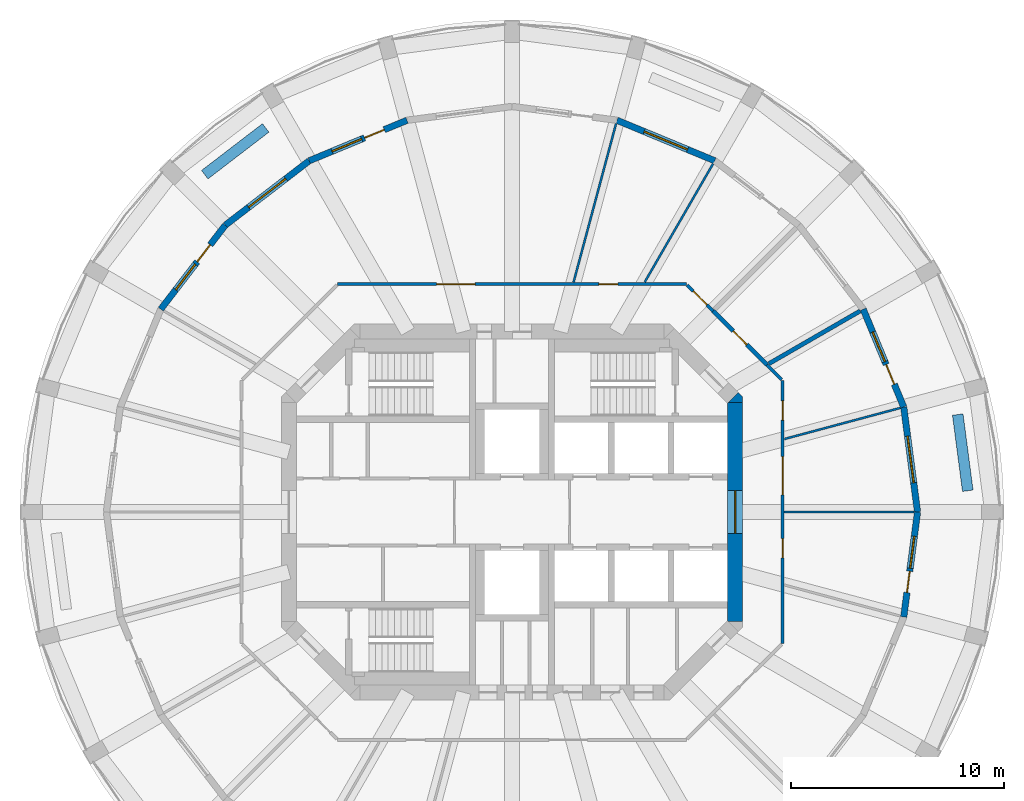
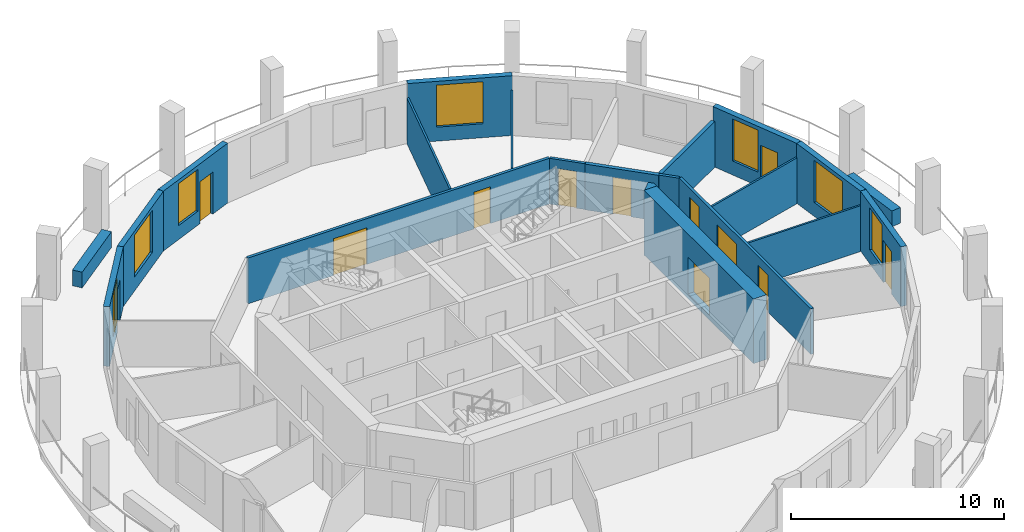
# One storey, part 6 of 9: 21 walls, 12 doors, 7 windows, 19 openings.
"""IFC4 building model written with IfcOpenShell, lengths in metres."""

from ifc_helpers import new_model, si_unit, direction, frame, frame_2d, origin, place, context, subcontext, project, spatial, polyline, rectangle, outline, extrude, material, layer, layer_set, type_object, element, fill, save


model = new_model("IFC4")

# Units and contexts
model_context = context("Model", 3, precision=1e-05, world=origin(), true_north=direction((0.0, 1.0)))
body_context = subcontext(model_context, "Body", "Model", "MODEL_VIEW")
ifc_project = project(units=[si_unit("LENGTHUNIT", "METRE"), si_unit("AREAUNIT", "SQUARE_METRE"), si_unit("VOLUMEUNIT", "CUBIC_METRE"), si_unit("PLANEANGLEUNIT", "RADIAN"), si_unit("MASSUNIT", "GRAM", prefix="KILO")], contexts=[model_context])

# Site, building, storey
site_placement = place(None, origin())
site = spatial("IfcSite", under=ifc_project, at=site_placement, CompositionType="ELEMENT")
building_placement = place(site_placement, origin())
building = spatial("IfcBuilding", under=site, at=building_placement, Name="Torre Triforio", CompositionType="ELEMENT")
storey_placement = place(building_placement, frame((0.0, 0.0, 165.300048828125)))
storey = spatial("IfcBuildingStorey", under=building, at=storey_placement, Name="L37", CompositionType="ELEMENT", Elevation=165.300048828125)

# Wall, opening, door
ifc_material_1 = material(Name="Concrete C50", Category="concrete")
ifc_layer_1 = layer(ifc_material_1, 0.699951171875)
ifc_layer_set_1 = layer_set([ifc_layer_1], Name="Concrete C50")
wall_type_1 = type_object("IfcWallType", Name="Core wall 700 mm C50 EI 120", PredefinedType="SHEAR", material=ifc_layer_set_1)
wall_1_placement = place(storey_placement, frame((10.449951171875, -5.1298828125, -0.280029296875), z_axis=(0.0, 0.0, 1.0), x_axis=(0.0, 1.0, 0.0)))
wall_1 = element("IfcWall", 1, at=wall_1_placement, inside=storey, type_object=wall_type_1, Name="Core wall", PredefinedType="SHEAR", context=body_context, shape_type="SweptSolid", body=[
    extrude(rectangle(XDim=10.259765625, YDim=0.699951171875, at=frame_2d((5.1298828125, 0.0))), origin(), (0.0, 0.0, 1.0), 3.699951171875),
])
opening_1_placement = place(wall_1_placement, frame((4.1298828125, 0.0, 0.280029296875)))
opening_1 = element("IfcOpeningElement", 2, at=opening_1_placement, cuts=wall_1, Name="Opening E-RING", PredefinedType="OPENING", context=body_context, shape_type="SweptSolid", body=[
    extrude(rectangle(XDim=2.0, YDim=2.10009765625, at=frame_2d((1.0, 1.050048828125))), frame((0.0, 0.35986328125, 0.0), z_axis=(0.0, -1.0, 0.0), x_axis=(1.0, 0.0, 0.0)), (0.0, 0.0, 1.0), 0.719970703125),
])
ifc_material_2 = material(Name="Hollow metal fire door leaf")
door_type_1 = type_object("IfcDoorType", Name="Lobby door 2000 x 2100 EI 60", OperationType="DOUBLE_DOOR_SINGLE_SWING", PredefinedType="DOOR", material=ifc_material_2)
door_1_placement = place(opening_1_placement, origin())
door_1 = element("IfcDoor", 3, at=door_1_placement, inside=storey, type_object=door_type_1, Name="Core door E-RING", OperationType="DOUBLE_DOOR_SINGLE_SWING", OverallHeight=2.10009765625, OverallWidth=2.0, PredefinedType="DOOR", context=body_context, shape_type="SweptSolid", body=[
    extrude(rectangle(XDim=2.0, YDim=2.10009765625, at=frame_2d((1.0, 1.050048828125))), frame((0.0, 0.02490234375, 0.0), z_axis=(0.0, -1.0, 0.0), x_axis=(1.0, 0.0, 0.0)), (0.0, 0.0, 1.0), 0.050048828125),
])
fill(opening_1, door_1)

# Wall
wall_2_placement = place(storey_placement, frame((0.0, 0.0, -0.280029296875)))
element("IfcWall", 4, at=wall_2_placement, inside=storey, type_object=wall_type_1, Name="Core wall", PredefinedType="SHEAR", context=body_context, shape_type="SweptSolid", body=[
    extrude(outline(polyline([(10.800048828125, 5.389892578125), (10.800048828125, 5.1298828125), (10.800048828125, 5.1298828125), (10.1298828125, 5.1298828125), (10.594970703125, 5.594970703125), (10.594970703125, 5.594970703125), (10.594970703125, 5.594970703125), (10.800048828125, 5.389892578125)])), origin(), (0.0, 0.0, 1.0), 3.699951171875),
])

# Wall, openings, doors
ifc_material_3 = material(Name="Plasterboard on metal studs")
ifc_layer_2 = layer(ifc_material_3, 0.14990234375)
ifc_layer_set_2 = layer_set([ifc_layer_2], Name="Plasterboard on metal studs")
wall_type_2 = type_object("IfcWallType", Name="Corridor and tenancy wall 150 mm EI 60", PredefinedType="PARTITIONING", material=ifc_layer_set_2)
wall_3_placement = place(storey_placement, frame((-8.16650390625, 10.675048828125, 0.0), z_axis=(0.0, 0.0, 1.0), x_axis=(1.0, 0.0, 0.0)))
wall_3 = element("IfcWall", 5, at=wall_3_placement, inside=storey, type_object=wall_type_2, Name="Partition 6", PredefinedType="PARTITIONING", context=body_context, shape_type="SweptSolid", body=[
    extrude(rectangle(XDim=16.3330078125, YDim=0.14990234375, at=frame_2d((8.16650390625, 0.0))), origin(), (0.0, 0.0, 1.0), 2.619873046875),
])
opening_2_placement = place(wall_3_placement, frame((4.639404296875, 0.0, 0.0)))
opening_2 = element("IfcOpeningElement", 6, at=opening_2_placement, cuts=wall_3, Name="Opening O2-01", PredefinedType="OPENING", context=body_context, shape_type="SweptSolid", body=[
    extrude(rectangle(XDim=1.800048828125, YDim=2.10009765625, at=frame_2d((0.89990234375, 1.050048828125))), frame((0.0, 0.0849609375, 0.0), z_axis=(0.0, -1.0, 0.0), x_axis=(1.0, 0.0, 0.0)), (0.0, 0.0, 1.0), 0.169921875),
])
opening_3_placement = place(wall_3_placement, frame((12.232421875, 0.0, 0.0)))
opening_3 = element("IfcOpeningElement", 7, at=opening_3_placement, cuts=wall_3, Name="Opening O2-16", PredefinedType="OPENING", context=body_context, shape_type="SweptSolid", body=[
    extrude(rectangle(XDim=0.89990234375, YDim=2.10009765625, at=frame_2d((0.449951171875, 1.050048828125))), frame((0.0, 0.0849609375, 0.0), z_axis=(0.0, -1.0, 0.0), x_axis=(1.0, 0.0, 0.0)), (0.0, 0.0, 1.0), 0.169921875),
])
ifc_material_4 = material(Name="Timber", Category="wood")
door_type_2 = type_object("IfcDoorType", Name="Door 1800 x 2100 double leaf EI 30", OperationType="DOUBLE_DOOR_SINGLE_SWING", PredefinedType="DOOR", material=ifc_material_4)
door_2_placement = place(opening_2_placement, origin())
door_2 = element("IfcDoor", 8, at=door_2_placement, inside=storey, type_object=door_type_2, Name="Door O2-01", OperationType="DOUBLE_DOOR_SINGLE_SWING", OverallHeight=2.10009765625, OverallWidth=1.800048828125, PredefinedType="DOOR", context=body_context, shape_type="SweptSolid", body=[
    extrude(rectangle(XDim=1.800048828125, YDim=2.10009765625, at=frame_2d((0.89990234375, 1.050048828125))), frame((0.0, 0.02490234375, 0.0), z_axis=(0.0, -1.0, 0.0), x_axis=(1.0, 0.0, 0.0)), (0.0, 0.0, 1.0), 0.050048828125),
])
fill(opening_2, door_2)
door_type_3 = type_object("IfcDoorType", Name="Door 900 x 2100 single leaf EI 30", OperationType="NOTDEFINED", PredefinedType="DOOR", material=ifc_material_4)
door_3_placement = place(opening_3_placement, origin())
door_3 = element("IfcDoor", 9, at=door_3_placement, inside=storey, type_object=door_type_3, Name="Door O2-16", OperationType="SINGLE_SWING_LEFT", OverallHeight=2.10009765625, OverallWidth=0.89990234375, PredefinedType="DOOR", context=body_context, shape_type="SweptSolid", body=[
    extrude(rectangle(XDim=0.89990234375, YDim=2.10009765625, at=frame_2d((0.449951171875, 1.050048828125))), frame((0.0, 0.02490234375, 0.0), z_axis=(0.0, -1.0, 0.0), x_axis=(1.0, 0.0, 0.0)), (0.0, 0.0, 1.0), 0.050048828125),
])
fill(opening_3, door_3)

# Wall, opening, door
wall_4_placement = place(storey_placement, frame((8.20361328125, 10.637939453125, 0.0), z_axis=(0.0, 0.0, 1.0), x_axis=(0.707177693966, -0.707035861295, 0.0)))
wall_4 = element("IfcWall", 10, at=wall_4_placement, inside=storey, type_object=wall_type_2, Name="Partition 7", PredefinedType="PARTITIONING", context=body_context, shape_type="SweptSolid", body=[
    extrude(rectangle(XDim=1.721435546875, YDim=0.14990234375, at=frame_2d((0.86083984375, 0.0))), origin(), (0.0, 0.0, 1.0), 2.619873046875),
])
opening_4_placement = place(wall_4_placement, frame((0.41064453125, 0.0, 0.0)))
opening_4 = element("IfcOpeningElement", 11, at=opening_4_placement, cuts=wall_4, Name="Opening O2-15", PredefinedType="OPENING", context=body_context, shape_type="SweptSolid", body=[
    extrude(rectangle(XDim=0.89990234375, YDim=2.10009765625, at=frame_2d((0.449951171875, 1.050048828125))), frame((0.0, 0.0849609375, 0.0), z_axis=(0.0, -1.0, 0.0), x_axis=(1.0, 0.0, 0.0)), (0.0, 0.0, 1.0), 0.169921875),
])
door_4_placement = place(opening_4_placement, origin())
door_4 = element("IfcDoor", 12, at=door_4_placement, inside=storey, type_object=door_type_3, Name="Door O2-15", OperationType="SINGLE_SWING_LEFT", OverallHeight=2.10009765625, OverallWidth=0.89990234375, PredefinedType="DOOR", context=body_context, shape_type="SweptSolid", body=[
    extrude(rectangle(XDim=0.89990234375, YDim=2.10009765625, at=frame_2d((0.449951171875, 1.050048828125))), frame((0.0, 0.02490234375, 0.0), z_axis=(0.0, -1.0, 0.0), x_axis=(1.0, 0.0, 0.0)), (0.0, 0.0, 1.0), 0.050048828125),
])
fill(opening_4, door_4)

# Wall
wall_5_placement = place(storey_placement, frame((11.945068359375, 6.896484375, 0.0), z_axis=(0.0, 0.0, 1.0), x_axis=(0.707106781187, -0.707106781187, 0.0)))
element("IfcWall", 13, at=wall_5_placement, inside=storey, type_object=wall_type_2, Name="Partition 9", PredefinedType="PARTITIONING", context=body_context, shape_type="SweptSolid", body=[
    extrude(rectangle(XDim=0.97998046875, YDim=0.14990234375, at=frame_2d((0.489990234375, 0.0))), origin(), (0.0, 0.0, 1.0), 2.619873046875),
])

# Wall, openings, doors
wall_6_placement = place(storey_placement, frame((12.675048828125, 6.16650390625, 0.0), z_axis=(0.0, 0.0, 1.0), x_axis=(0.0, -1.0, 0.0)))
wall_6 = element("IfcWall", 14, at=wall_6_placement, inside=storey, type_object=wall_type_2, Name="Partition 10", PredefinedType="PARTITIONING", context=body_context, shape_type="SweptSolid", body=[
    extrude(rectangle(XDim=12.3330078125, YDim=0.14990234375, at=frame_2d((6.16650390625, 0.0))), origin(), (0.0, 0.0, 1.0), 2.619873046875),
])
opening_5_placement = place(wall_6_placement, frame((7.41552734375, 0.0, 0.0)))
opening_5 = element("IfcOpeningElement", 15, at=opening_5_placement, cuts=wall_6, Name="Opening O2-11", PredefinedType="OPENING", context=body_context, shape_type="SweptSolid", body=[
    extrude(rectangle(XDim=0.89990234375, YDim=2.10009765625, at=frame_2d((0.449951171875, 1.050048828125))), frame((0.0, 0.0849609375, 0.0), z_axis=(0.0, -1.0, 0.0), x_axis=(1.0, 0.0, 0.0)), (0.0, 0.0, 1.0), 0.169921875),
])
opening_6_placement = place(wall_6_placement, frame((3.567626953125, 0.0, 0.0)))
opening_6 = element("IfcOpeningElement", 16, at=opening_6_placement, cuts=wall_6, Name="Opening O2-12", PredefinedType="OPENING", context=body_context, shape_type="SweptSolid", body=[
    extrude(rectangle(XDim=1.800048828125, YDim=2.10009765625, at=frame_2d((0.89990234375, 1.050048828125))), frame((0.0, 0.0849609375, 0.0), z_axis=(0.0, -1.0, 0.0), x_axis=(1.0, 0.0, 0.0)), (0.0, 0.0, 1.0), 0.169921875),
])
opening_7_placement = place(wall_6_placement, frame((0.960205078125, 0.0, 0.0)))
opening_7 = element("IfcOpeningElement", 17, at=opening_7_placement, cuts=wall_6, Name="Opening O2-13", PredefinedType="OPENING", context=body_context, shape_type="SweptSolid", body=[
    extrude(rectangle(XDim=0.89990234375, YDim=2.10009765625, at=frame_2d((0.449951171875, 1.050048828125))), frame((0.0, 0.0849609375, 0.0), z_axis=(0.0, -1.0, 0.0), x_axis=(1.0, 0.0, 0.0)), (0.0, 0.0, 1.0), 0.169921875),
])
door_5_placement = place(opening_6_placement, origin())
door_5 = element("IfcDoor", 18, at=door_5_placement, inside=storey, type_object=door_type_2, Name="Door O2-12", OperationType="DOUBLE_DOOR_SINGLE_SWING", OverallHeight=2.10009765625, OverallWidth=1.800048828125, PredefinedType="DOOR", context=body_context, shape_type="SweptSolid", body=[
    extrude(rectangle(XDim=1.800048828125, YDim=2.10009765625, at=frame_2d((0.89990234375, 1.050048828125))), frame((0.0, 0.02490234375, 0.0), z_axis=(0.0, -1.0, 0.0), x_axis=(1.0, 0.0, 0.0)), (0.0, 0.0, 1.0), 0.050048828125),
])
fill(opening_6, door_5)
door_6_placement = place(opening_5_placement, origin())
door_6 = element("IfcDoor", 19, at=door_6_placement, inside=storey, type_object=door_type_3, Name="Door O2-11", OperationType="SINGLE_SWING_LEFT", OverallHeight=2.10009765625, OverallWidth=0.89990234375, PredefinedType="DOOR", context=body_context, shape_type="SweptSolid", body=[
    extrude(rectangle(XDim=0.89990234375, YDim=2.10009765625, at=frame_2d((0.449951171875, 1.050048828125))), frame((0.0, 0.02490234375, 0.0), z_axis=(0.0, -1.0, 0.0), x_axis=(1.0, 0.0, 0.0)), (0.0, 0.0, 1.0), 0.050048828125),
])
fill(opening_5, door_6)
door_7_placement = place(opening_7_placement, origin())
door_7 = element("IfcDoor", 20, at=door_7_placement, inside=storey, type_object=door_type_3, Name="Door O2-13", OperationType="SINGLE_SWING_LEFT", OverallHeight=2.10009765625, OverallWidth=0.89990234375, PredefinedType="DOOR", context=body_context, shape_type="SweptSolid", body=[
    extrude(rectangle(XDim=0.89990234375, YDim=2.10009765625, at=frame_2d((0.449951171875, 1.050048828125))), frame((0.0, 0.02490234375, 0.0), z_axis=(0.0, -1.0, 0.0), x_axis=(1.0, 0.0, 0.0)), (0.0, 0.0, 1.0), 0.050048828125),
])
fill(opening_7, door_7)

# Walls
ifc_layer_3 = layer(ifc_material_3, 0.10009765625)
ifc_layer_set_3 = layer_set([ifc_layer_3], Name="Plasterboard on metal studs")
wall_type_3 = type_object("IfcWallType", Name="Partition 100 mm board on metal studs", PredefinedType="PARTITIONING", material=ifc_layer_set_3)
wall_7_placement = place(storey_placement, frame((12.75, 0.0, 0.0), z_axis=(0.0, 0.0, 1.0), x_axis=(1.0, 0.0, 0.0)))
element("IfcWall", 21, at=wall_7_placement, inside=storey, type_object=wall_type_3, Name="Partition 11", PredefinedType="PARTITIONING", context=body_context, shape_type="SweptSolid", body=[
    extrude(rectangle(XDim=6.086669921875, YDim=0.10009765625, at=frame_2d((3.04345703125, 0.0))), origin(), (0.0, 0.0, 1.0), 2.619873046875),
])
wall_8_placement = place(storey_placement, frame((12.764404296875, 3.420166015625, 0.0), z_axis=(0.0, 0.0, 1.0), x_axis=(0.965925759926, 0.258819292773, 0.0)))
element("IfcWall", 22, at=wall_8_placement, inside=storey, type_object=wall_type_3, Name="Partition 12", PredefinedType="PARTITIONING", context=body_context, shape_type="SweptSolid", body=[
    extrude(rectangle(XDim=5.6220703125, YDim=0.10009765625, at=frame_2d((2.81103515625, 0.0))), origin(), (0.0, 0.0, 1.0), 2.619873046875),
])
wall_9_placement = place(storey_placement, frame((6.220703125, 10.774658203125, 0.0), z_axis=(0.0, 0.0, 1.0), x_axis=(0.500023166934, 0.866012027936, 0.0)))
element("IfcWall", 23, at=wall_9_placement, inside=storey, type_object=wall_type_3, Name="Partition 15", PredefinedType="PARTITIONING", context=body_context, shape_type="SweptSolid", body=[
    extrude(rectangle(XDim=6.395263671875, YDim=0.10009765625, at=frame_2d((3.19775390625, 0.0))), origin(), (0.0, 0.0, 1.0), 2.619873046875),
])
wall_10_placement = place(storey_placement, frame((2.88427734375, 10.764404296875, 0.0), z_axis=(0.0, 0.0, 1.0), x_axis=(0.25881804804, 0.965926093451, 0.0)))
element("IfcWall", 24, at=wall_10_placement, inside=storey, type_object=wall_type_3, Name="Partition 16", PredefinedType="PARTITIONING", context=body_context, shape_type="SweptSolid", body=[
    extrude(rectangle(XDim=7.692626953125, YDim=0.10009765625, at=frame_2d((3.84619140625, 0.0))), origin(), (0.0, 0.0, 1.0), 2.619873046875),
])

# Wall, opening, door
ifc_material_5 = material(Name="Masonry block", Category="masonry")
ifc_layer_4 = layer(ifc_material_5, 0.199951171875)
ifc_layer_set_4 = layer_set([ifc_layer_4], Name="Masonry block")
wall_type_4 = type_object("IfcWallType", Name="Plant room wall 200 mm block EI 120", PredefinedType="PARTITIONING", material=ifc_layer_set_4)
wall_11_placement = place(storey_placement, frame((9.4208984375, 9.4208984375, 0.0), z_axis=(0.0, 0.0, 1.0), x_axis=(0.707072585922, -0.707140974798, 0.0)))
wall_11 = element("IfcWall", 25, at=wall_11_placement, inside=storey, type_object=wall_type_4, Name="Partition 8", PredefinedType="PARTITIONING", context=body_context, shape_type="SweptSolid", body=[
    extrude(rectangle(XDim=3.56982421875, YDim=0.199951171875, at=frame_2d((1.784912109375, 0.0))), origin(), (0.0, 0.0, 1.0), 2.619873046875),
])
opening_8_placement = place(wall_11_placement, frame((1.3349609375, 0.0, 0.0)))
opening_8 = element("IfcOpeningElement", 26, at=opening_8_placement, cuts=wall_11, Name="Opening O2-14", PredefinedType="OPENING", context=body_context, shape_type="SweptSolid", body=[
    extrude(rectangle(XDim=0.89990234375, YDim=2.10009765625, at=frame_2d((0.449951171875, 1.050048828125))), frame((0.0, 0.10986328125, 0.0), z_axis=(0.0, -1.0, 0.0), x_axis=(1.0, 0.0, 0.0)), (0.0, 0.0, 1.0), 0.219970703125),
])
door_type_4 = type_object("IfcDoorType", Name="Door 900 x 2100 single leaf EI 60", OperationType="NOTDEFINED", PredefinedType="DOOR", material=ifc_material_2)
door_8_placement = place(opening_8_placement, origin())
door_8 = element("IfcDoor", 27, at=door_8_placement, inside=storey, type_object=door_type_4, Name="Door O2-14", OperationType="SINGLE_SWING_LEFT", OverallHeight=2.10009765625, OverallWidth=0.89990234375, PredefinedType="DOOR", context=body_context, shape_type="SweptSolid", body=[
    extrude(rectangle(XDim=0.89990234375, YDim=2.10009765625, at=frame_2d((0.449951171875, 1.050048828125))), frame((0.0, 0.02490234375, 0.0), z_axis=(0.0, -1.0, 0.0), x_axis=(1.0, 0.0, 0.0)), (0.0, 0.0, 1.0), 0.050048828125),
])
fill(opening_8, door_8)

# Walls
wall_12_placement = place(storey_placement, frame((12.035888671875, 6.948974609375, 0.0), z_axis=(0.0, 0.0, 1.0), x_axis=(0.866016828037, 0.500014853336, 0.0)))
element("IfcWall", 28, at=wall_12_placement, inside=storey, type_object=wall_type_4, Name="Partition 13", PredefinedType="PARTITIONING", context=body_context, shape_type="SweptSolid", body=[
    extrude(rectangle(XDim=4.938720703125, YDim=0.199951171875, at=frame_2d((2.46923828125, 0.0))), origin(), (0.0, 0.0, 1.0), 2.619873046875),
])
ifc_material_6 = material(Name="Limestone cladding", Category="masonry")
ifc_layer_5 = layer(ifc_material_6, 0.10009765625)
ifc_material_7 = material(Name="Concrete C40", Category="concrete")
ifc_layer_6 = layer(ifc_material_7, 0.39990234375)
ifc_layer_set_5 = layer_set([ifc_layer_5, ifc_layer_6], Name="Limestone cladding / Concrete C40")
wall_type_5 = type_object("IfcWallType", Name="Planter wall 500", PredefinedType="PARAPET", material=ifc_layer_set_5)
wall_13_placement = place(storey_placement, frame((21.352783203125, 0.99560546875, 0.0), z_axis=(0.0, 0.0, 1.0), x_axis=(-0.130551000099, 0.991441595039, 0.0)))
element("IfcWall", 29, at=wall_13_placement, inside=storey, type_object=wall_type_5, Name="Planter L37 bay 01", PredefinedType="PARAPET", context=body_context, shape_type="SweptSolid", body=[
    extrude(rectangle(XDim=3.599853515625, YDim=0.5, at=frame_2d((1.7998046875, 0.0))), origin(), (0.0, 0.0, 1.0), 0.89990234375),
])
wall_14_placement = place(storey_placement, frame((-11.53857421875, 17.994140625, 0.0), z_axis=(0.0, 0.0, 1.0), x_axis=(-0.793384730612, -0.608720518162, 0.0)))
element("IfcWall", 30, at=wall_14_placement, inside=storey, type_object=wall_type_5, Name="Planter L37 bay 09", PredefinedType="PARAPET", context=body_context, shape_type="SweptSolid", body=[
    extrude(rectangle(XDim=3.60009765625, YDim=0.5, at=frame_2d((1.800048828125, 0.0))), origin(), (0.0, 0.0, 1.0), 0.89990234375),
])

# Wall, opening, window
ifc_layer_7 = layer(ifc_material_6, 0.10009765625)
ifc_layer_8 = layer(ifc_material_7, 0.199951171875)
ifc_layer_set_6 = layer_set([ifc_layer_7, ifc_layer_8], Name="Limestone cladding / Concrete C40")
wall_type_6 = type_object("IfcWallType", Name="Stone-faced composite wall 300", PredefinedType="STANDARD", material=ifc_layer_set_6)
wall_15_placement = place(storey_placement, frame((19.0, 0.0, 0.0), z_axis=(0.0, 0.0, 1.0), x_axis=(-0.130538549191, 0.991443234469, 0.0)))
wall_15 = element("IfcWall", 31, at=wall_15_placement, inside=storey, type_object=wall_type_6, Name="External wall L37 bay 01", PredefinedType="STANDARD", context=body_context, shape_type="SweptSolid", body=[
    extrude(rectangle(XDim=4.9599609375, YDim=0.300048828125, at=frame_2d((2.47998046875, 0.0))), origin(), (0.0, 0.0, 1.0), 3.419921875),
])
opening_9_placement = place(wall_15_placement, frame((1.3798828125, 0.0, 0.800048828125)))
opening_9 = element("IfcOpeningElement", 32, at=opening_9_placement, cuts=wall_15, Name="Opening O2-W01", PredefinedType="OPENING", context=body_context, shape_type="SweptSolid", body=[
    extrude(rectangle(XDim=2.199951171875, YDim=2.39990234375, at=frame_2d((1.10009765625, 1.199951171875))), frame((0.0, 0.159912109375, 0.0), z_axis=(0.0, -1.0, 0.0), x_axis=(1.0, 0.0, 0.0)), (0.0, 0.0, 1.0), 0.320068359375),
])
ifc_material_8 = material(Name="Aluminium frame with clear double glazing", Category="aluminium")
window_type_1 = type_object("IfcWindowType", Name="Punched window 2200 x 2400", PartitioningType="DOUBLE_PANEL_VERTICAL", PredefinedType="WINDOW", material=ifc_material_8)
window_1_placement = place(opening_9_placement, origin())
window_1 = element("IfcWindow", 33, at=window_1_placement, inside=storey, type_object=window_type_1, Name="Window EWN5 L37 bay 01", OverallHeight=2.39990234375, OverallWidth=2.199951171875, PartitioningType="SINGLE_PANEL", PredefinedType="WINDOW", context=body_context, shape_type="SweptSolid", body=[
    extrude(rectangle(XDim=2.199951171875, YDim=2.39990234375, at=frame_2d((1.10009765625, 1.199951171875))), frame((0.0, 0.030029296875, 0.0), z_axis=(0.0, -1.0, 0.0), x_axis=(1.0, 0.0, 0.0)), (0.0, 0.0, 1.0), 0.06005859375),
])
fill(opening_9, window_1)

# Wall, openings, door, window
wall_16_placement = place(storey_placement, frame((18.3525390625, 4.91748046875, 0.0), z_axis=(0.0, 0.0, 1.0), x_axis=(-0.382650301762, 0.923893254961, 0.0)))
wall_16 = element("IfcWall", 34, at=wall_16_placement, inside=storey, type_object=wall_type_6, Name="External wall L37 bay 02", PredefinedType="STANDARD", context=body_context, shape_type="SweptSolid", body=[
    extrude(rectangle(XDim=4.9599609375, YDim=0.300048828125, at=frame_2d((2.47998046875, 0.0))), origin(), (0.0, 0.0, 1.0), 3.419921875),
])
opening_10_placement = place(wall_16_placement, frame((1.155029296875, 0.0, 0.0)))
opening_10 = element("IfcOpeningElement", 35, at=opening_10_placement, cuts=wall_16, Name="Opening O2-D02", PredefinedType="OPENING", context=body_context, shape_type="SweptSolid", body=[
    extrude(rectangle(XDim=1.0, YDim=2.39990234375, at=frame_2d((0.5, 1.199951171875))), frame((0.0, 0.159912109375, 0.0), z_axis=(0.0, -1.0, 0.0), x_axis=(1.0, 0.0, 0.0)), (0.0, 0.0, 1.0), 0.320068359375),
])
opening_11_placement = place(wall_16_placement, frame((2.304931640625, 0.0, 0.800048828125)))
opening_11 = element("IfcOpeningElement", 36, at=opening_11_placement, cuts=wall_16, Name="Opening O2-W02A", PredefinedType="OPENING", context=body_context, shape_type="SweptSolid", body=[
    extrude(rectangle(XDim=1.5, YDim=2.39990234375, at=frame_2d((0.75, 1.199951171875))), frame((0.0, 0.159912109375, 0.0), z_axis=(0.0, -1.0, 0.0), x_axis=(1.0, 0.0, 0.0)), (0.0, 0.0, 1.0), 0.320068359375),
])
door_type_5 = type_object("IfcDoorType", Name="Loggia door 1000 x 2400", OperationType="NOTDEFINED", PredefinedType="DOOR", material=ifc_material_8)
door_9_placement = place(opening_10_placement, origin())
door_9 = element("IfcDoor", 37, at=door_9_placement, inside=storey, type_object=door_type_5, Name="Loggia door L37 bay 02", OperationType="SINGLE_SWING_LEFT", OverallHeight=2.39990234375, OverallWidth=1.0, PredefinedType="DOOR", context=body_context, shape_type="SweptSolid", body=[
    extrude(rectangle(XDim=1.0, YDim=2.39990234375, at=frame_2d((0.5, 1.199951171875))), frame((0.0, 0.02490234375, 0.0), z_axis=(0.0, -1.0, 0.0), x_axis=(1.0, 0.0, 0.0)), (0.0, 0.0, 1.0), 0.050048828125),
])
fill(opening_10, door_9)
window_type_2 = type_object("IfcWindowType", Name="Side window 1500 x 2400", PartitioningType="SINGLE_PANEL", PredefinedType="WINDOW", material=ifc_material_8)
window_2_placement = place(opening_11_placement, origin())
window_2 = element("IfcWindow", 38, at=window_2_placement, inside=storey, type_object=window_type_2, Name="Side window EWN14 L37 bay 02", OverallHeight=2.39990234375, OverallWidth=1.5, PartitioningType="SINGLE_PANEL", PredefinedType="WINDOW", context=body_context, shape_type="SweptSolid", body=[
    extrude(rectangle(XDim=1.5, YDim=2.39990234375, at=frame_2d((0.75, 1.199951171875))), frame((0.0, 0.030029296875, 0.0), z_axis=(0.0, -1.0, 0.0), x_axis=(1.0, 0.0, 0.0)), (0.0, 0.0, 1.0), 0.06005859375),
])
fill(opening_11, window_2)

# Wall, opening, window
wall_17_placement = place(storey_placement, frame((9.5, 16.45458984375, 0.0), z_axis=(0.0, 0.0, 1.0), x_axis=(-0.923893254961, 0.382650301762, 0.0)))
wall_17 = element("IfcWall", 39, at=wall_17_placement, inside=storey, type_object=wall_type_6, Name="External wall L37 bay 05", PredefinedType="STANDARD", context=body_context, shape_type="SweptSolid", body=[
    extrude(rectangle(XDim=4.9599609375, YDim=0.300048828125, at=frame_2d((2.47998046875, 0.0))), origin(), (0.0, 0.0, 1.0), 3.419921875),
])
opening_12_placement = place(wall_17_placement, frame((1.3798828125, 0.0, 0.800048828125)))
opening_12 = element("IfcOpeningElement", 40, at=opening_12_placement, cuts=wall_17, Name="Opening O2-W05", PredefinedType="OPENING", context=body_context, shape_type="SweptSolid", body=[
    extrude(rectangle(XDim=2.199951171875, YDim=2.39990234375, at=frame_2d((1.10009765625, 1.199951171875))), frame((0.0, 0.159912109375, 0.0), z_axis=(0.0, -1.0, 0.0), x_axis=(1.0, 0.0, 0.0)), (0.0, 0.0, 1.0), 0.320068359375),
])
window_3_placement = place(opening_12_placement, origin())
window_3 = element("IfcWindow", 41, at=window_3_placement, inside=storey, type_object=window_type_1, Name="Window EWN5 L37 bay 05", OverallHeight=2.39990234375, OverallWidth=2.199951171875, PartitioningType="SINGLE_PANEL", PredefinedType="WINDOW", context=body_context, shape_type="SweptSolid", body=[
    extrude(rectangle(XDim=2.199951171875, YDim=2.39990234375, at=frame_2d((1.10009765625, 1.199951171875))), frame((0.0, 0.030029296875, 0.0), z_axis=(0.0, -1.0, 0.0), x_axis=(1.0, 0.0, 0.0)), (0.0, 0.0, 1.0), 0.06005859375),
])
fill(opening_12, window_3)

# Wall, openings, door, window
wall_18_placement = place(storey_placement, frame((-4.91748046875, 18.3525390625, 0.0), z_axis=(0.0, 0.0, 1.0), x_axis=(-0.923893254961, -0.382650301762, 0.0)))
wall_18 = element("IfcWall", 42, at=wall_18_placement, inside=storey, type_object=wall_type_6, Name="External wall L37 bay 08", PredefinedType="STANDARD", context=body_context, shape_type="SweptSolid", body=[
    extrude(rectangle(XDim=4.9599609375, YDim=0.300048828125, at=frame_2d((2.47998046875, 0.0))), origin(), (0.0, 0.0, 1.0), 3.419921875),
])
opening_13_placement = place(wall_18_placement, frame((1.155029296875, 0.0, 0.0)))
opening_13 = element("IfcOpeningElement", 43, at=opening_13_placement, cuts=wall_18, Name="Opening O2-D08", PredefinedType="OPENING", context=body_context, shape_type="SweptSolid", body=[
    extrude(rectangle(XDim=1.0, YDim=2.39990234375, at=frame_2d((0.5, 1.199951171875))), frame((0.0, 0.159912109375, 0.0), z_axis=(0.0, -1.0, 0.0), x_axis=(1.0, 0.0, 0.0)), (0.0, 0.0, 1.0), 0.320068359375),
])
opening_14_placement = place(wall_18_placement, frame((2.304931640625, 0.0, 0.800048828125)))
opening_14 = element("IfcOpeningElement", 44, at=opening_14_placement, cuts=wall_18, Name="Opening O2-W08A", PredefinedType="OPENING", context=body_context, shape_type="SweptSolid", body=[
    extrude(rectangle(XDim=1.5, YDim=2.39990234375, at=frame_2d((0.75, 1.199951171875))), frame((0.0, 0.159912109375, 0.0), z_axis=(0.0, -1.0, 0.0), x_axis=(1.0, 0.0, 0.0)), (0.0, 0.0, 1.0), 0.320068359375),
])
door_10_placement = place(opening_13_placement, origin())
door_10 = element("IfcDoor", 45, at=door_10_placement, inside=storey, type_object=door_type_5, Name="Loggia door L37 bay 08", OperationType="SINGLE_SWING_LEFT", OverallHeight=2.39990234375, OverallWidth=1.0, PredefinedType="DOOR", context=body_context, shape_type="SweptSolid", body=[
    extrude(rectangle(XDim=1.0, YDim=2.39990234375, at=frame_2d((0.5, 1.199951171875))), frame((0.0, 0.02490234375, 0.0), z_axis=(0.0, -1.0, 0.0), x_axis=(1.0, 0.0, 0.0)), (0.0, 0.0, 1.0), 0.050048828125),
])
fill(opening_13, door_10)
window_4_placement = place(opening_14_placement, origin())
window_4 = element("IfcWindow", 46, at=window_4_placement, inside=storey, type_object=window_type_2, Name="Side window EWN14 L37 bay 08", OverallHeight=2.39990234375, OverallWidth=1.5, PartitioningType="SINGLE_PANEL", PredefinedType="WINDOW", context=body_context, shape_type="SweptSolid", body=[
    extrude(rectangle(XDim=1.5, YDim=2.39990234375, at=frame_2d((0.75, 1.199951171875))), frame((0.0, 0.030029296875, 0.0), z_axis=(0.0, -1.0, 0.0), x_axis=(1.0, 0.0, 0.0)), (0.0, 0.0, 1.0), 0.06005859375),
])
fill(opening_14, window_4)

# Wall, opening, window
wall_19_placement = place(storey_placement, frame((-9.5, 16.45458984375, 0.0), z_axis=(0.0, 0.0, 1.0), x_axis=(-0.793348024649, -0.608768356425, 0.0)))
wall_19 = element("IfcWall", 47, at=wall_19_placement, inside=storey, type_object=wall_type_6, Name="External wall L37 bay 09", PredefinedType="STANDARD", context=body_context, shape_type="SweptSolid", body=[
    extrude(rectangle(XDim=4.9599609375, YDim=0.300048828125, at=frame_2d((2.47998046875, 0.0))), origin(), (0.0, 0.0, 1.0), 3.419921875),
])
opening_15_placement = place(wall_19_placement, frame((1.3798828125, 0.0, 0.800048828125)))
opening_15 = element("IfcOpeningElement", 48, at=opening_15_placement, cuts=wall_19, Name="Opening O2-W09", PredefinedType="OPENING", context=body_context, shape_type="SweptSolid", body=[
    extrude(rectangle(XDim=2.199951171875, YDim=2.39990234375, at=frame_2d((1.10009765625, 1.199951171875))), frame((0.0, 0.159912109375, 0.0), z_axis=(0.0, -1.0, 0.0), x_axis=(1.0, 0.0, 0.0)), (0.0, 0.0, 1.0), 0.320068359375),
])
window_5_placement = place(opening_15_placement, origin())
window_5 = element("IfcWindow", 49, at=window_5_placement, inside=storey, type_object=window_type_1, Name="Window EWN5 L37 bay 09", OverallHeight=2.39990234375, OverallWidth=2.199951171875, PartitioningType="SINGLE_PANEL", PredefinedType="WINDOW", context=body_context, shape_type="SweptSolid", body=[
    extrude(rectangle(XDim=2.199951171875, YDim=2.39990234375, at=frame_2d((1.10009765625, 1.199951171875))), frame((0.0, 0.030029296875, 0.0), z_axis=(0.0, -1.0, 0.0), x_axis=(1.0, 0.0, 0.0)), (0.0, 0.0, 1.0), 0.06005859375),
])
fill(opening_15, window_5)

# Wall, openings, door, window
wall_20_placement = place(storey_placement, frame((-13.43505859375, 13.43505859375, 0.0), z_axis=(0.0, 0.0, 1.0), x_axis=(-0.608768356425, -0.793348024649, 0.0)))
wall_20 = element("IfcWall", 50, at=wall_20_placement, inside=storey, type_object=wall_type_6, Name="External wall L37 bay 10", PredefinedType="STANDARD", context=body_context, shape_type="SweptSolid", body=[
    extrude(rectangle(XDim=4.9599609375, YDim=0.300048828125, at=frame_2d((2.47998046875, 0.0))), origin(), (0.0, 0.0, 1.0), 3.419921875),
])
opening_16_placement = place(wall_20_placement, frame((1.155029296875, 0.0, 0.0)))
opening_16 = element("IfcOpeningElement", 51, at=opening_16_placement, cuts=wall_20, Name="Opening O2-D10", PredefinedType="OPENING", context=body_context, shape_type="SweptSolid", body=[
    extrude(rectangle(XDim=1.0, YDim=2.39990234375, at=frame_2d((0.5, 1.199951171875))), frame((0.0, 0.159912109375, 0.0), z_axis=(0.0, -1.0, 0.0), x_axis=(1.0, 0.0, 0.0)), (0.0, 0.0, 1.0), 0.320068359375),
])
opening_17_placement = place(wall_20_placement, frame((2.304931640625, 0.0, 0.800048828125)))
opening_17 = element("IfcOpeningElement", 52, at=opening_17_placement, cuts=wall_20, Name="Opening O2-W10A", PredefinedType="OPENING", context=body_context, shape_type="SweptSolid", body=[
    extrude(rectangle(XDim=1.5, YDim=2.39990234375, at=frame_2d((0.75, 1.199951171875))), frame((0.0, 0.159912109375, 0.0), z_axis=(0.0, -1.0, 0.0), x_axis=(1.0, 0.0, 0.0)), (0.0, 0.0, 1.0), 0.320068359375),
])
door_11_placement = place(opening_16_placement, origin())
door_11 = element("IfcDoor", 53, at=door_11_placement, inside=storey, type_object=door_type_5, Name="Loggia door L37 bay 10", OperationType="SINGLE_SWING_LEFT", OverallHeight=2.39990234375, OverallWidth=1.0, PredefinedType="DOOR", context=body_context, shape_type="SweptSolid", body=[
    extrude(rectangle(XDim=1.0, YDim=2.39990234375, at=frame_2d((0.5, 1.199951171875))), frame((0.0, 0.02490234375, 0.0), z_axis=(0.0, -1.0, 0.0), x_axis=(1.0, 0.0, 0.0)), (0.0, 0.0, 1.0), 0.050048828125),
])
fill(opening_16, door_11)
window_6_placement = place(opening_17_placement, origin())
window_6 = element("IfcWindow", 54, at=window_6_placement, inside=storey, type_object=window_type_2, Name="Side window EWN14 L37 bay 10", OverallHeight=2.39990234375, OverallWidth=1.5, PartitioningType="SINGLE_PANEL", PredefinedType="WINDOW", context=body_context, shape_type="SweptSolid", body=[
    extrude(rectangle(XDim=1.5, YDim=2.39990234375, at=frame_2d((0.75, 1.199951171875))), frame((0.0, 0.030029296875, 0.0), z_axis=(0.0, -1.0, 0.0), x_axis=(1.0, 0.0, 0.0)), (0.0, 0.0, 1.0), 0.06005859375),
])
fill(opening_17, window_6)

wall_21_placement = place(storey_placement, frame((18.3525390625, -4.91748046875, 0.0), z_axis=(0.0, 0.0, 1.0), x_axis=(0.130538549191, 0.991443234469, 0.0)))
wall_21 = element("IfcWall", 55, at=wall_21_placement, inside=storey, type_object=wall_type_6, Name="External wall L37 bay 24", PredefinedType="STANDARD", context=body_context, shape_type="SweptSolid", body=[
    extrude(rectangle(XDim=4.9599609375, YDim=0.300048828125, at=frame_2d((2.47998046875, 0.0))), origin(), (0.0, 0.0, 1.0), 3.419921875),
])
opening_18_placement = place(wall_21_placement, frame((1.155029296875, 0.0, 0.0)))
opening_18 = element("IfcOpeningElement", 56, at=opening_18_placement, cuts=wall_21, Name="Opening O2-D24", PredefinedType="OPENING", context=body_context, shape_type="SweptSolid", body=[
    extrude(rectangle(XDim=1.0, YDim=2.39990234375, at=frame_2d((0.5, 1.199951171875))), frame((0.0, 0.159912109375, 0.0), z_axis=(0.0, -1.0, 0.0), x_axis=(1.0, 0.0, 0.0)), (0.0, 0.0, 1.0), 0.320068359375),
])
opening_19_placement = place(wall_21_placement, frame((2.304931640625, 0.0, 0.800048828125)))
opening_19 = element("IfcOpeningElement", 57, at=opening_19_placement, cuts=wall_21, Name="Opening O2-W24A", PredefinedType="OPENING", context=body_context, shape_type="SweptSolid", body=[
    extrude(rectangle(XDim=1.5, YDim=2.39990234375, at=frame_2d((0.75, 1.199951171875))), frame((0.0, 0.159912109375, 0.0), z_axis=(0.0, -1.0, 0.0), x_axis=(1.0, 0.0, 0.0)), (0.0, 0.0, 1.0), 0.320068359375),
])
door_12_placement = place(opening_18_placement, origin())
door_12 = element("IfcDoor", 58, at=door_12_placement, inside=storey, type_object=door_type_5, Name="Loggia door L37 bay 24", OperationType="SINGLE_SWING_LEFT", OverallHeight=2.39990234375, OverallWidth=1.0, PredefinedType="DOOR", context=body_context, shape_type="SweptSolid", body=[
    extrude(rectangle(XDim=1.0, YDim=2.39990234375, at=frame_2d((0.5, 1.199951171875))), frame((0.0, 0.02490234375, 0.0), z_axis=(0.0, -1.0, 0.0), x_axis=(1.0, 0.0, 0.0)), (0.0, 0.0, 1.0), 0.050048828125),
])
fill(opening_18, door_12)
window_7_placement = place(opening_19_placement, origin())
window_7 = element("IfcWindow", 59, at=window_7_placement, inside=storey, type_object=window_type_2, Name="Side window EWN14 L37 bay 24", OverallHeight=2.39990234375, OverallWidth=1.5, PartitioningType="SINGLE_PANEL", PredefinedType="WINDOW", context=body_context, shape_type="SweptSolid", body=[
    extrude(rectangle(XDim=1.5, YDim=2.39990234375, at=frame_2d((0.75, 1.199951171875))), frame((0.0, 0.030029296875, 0.0), z_axis=(0.0, -1.0, 0.0), x_axis=(1.0, 0.0, 0.0)), (0.0, 0.0, 1.0), 0.06005859375),
])
fill(opening_19, window_7)

save(model, "model.ifc")
